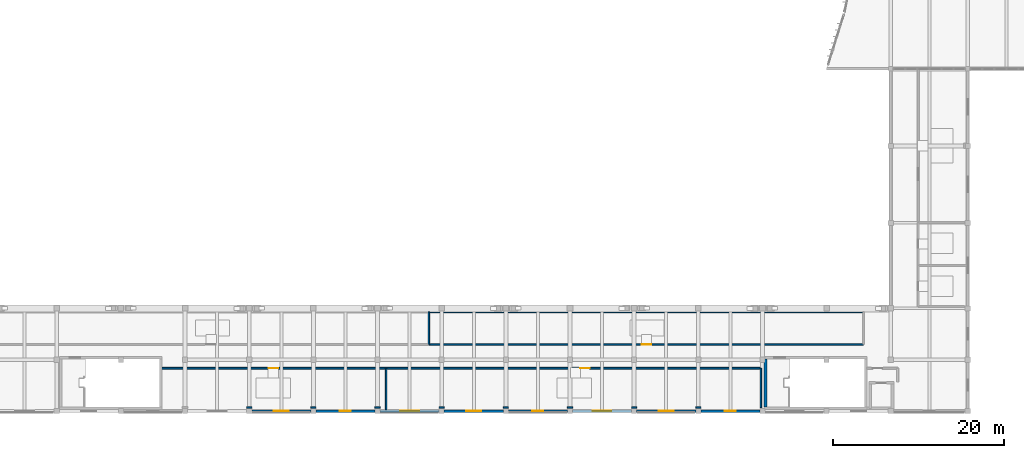
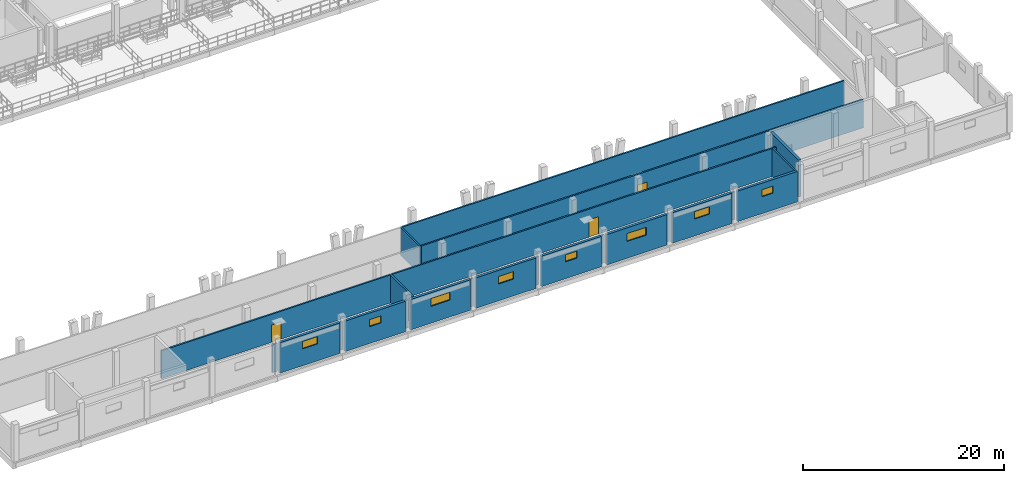
# One storey, part 53 of 81: 24 walls, 8 windows, 3 doors, 11 openings.
"""IFC4 building model written with IfcOpenShell, lengths in metres."""

from ifc_helpers import new_model, si_unit, direction, frame, frame_2d, origin, place, context, subcontext, project, spatial, rectangle, extrude, material, layer, layer_set, type_object, element, fill, save


model = new_model("IFC4")

# Units and contexts
model_context = context("Model", 3, precision=1e-05, world=origin(), true_north=direction((0.0, 1.0)))
body_context = subcontext(model_context, "Body", "Model", "MODEL_VIEW")
ifc_project = project(units=[si_unit("LENGTHUNIT", "METRE"), si_unit("AREAUNIT", "SQUARE_METRE"), si_unit("VOLUMEUNIT", "CUBIC_METRE"), si_unit("PLANEANGLEUNIT", "RADIAN"), si_unit("MASSUNIT", "GRAM", prefix="KILO")], contexts=[model_context])

# Site, building, storey
site_placement = place(None, origin())
site = spatial("IfcSite", under=ifc_project, at=site_placement, CompositionType="ELEMENT")
building_placement = place(site_placement, origin())
building = spatial("IfcBuilding", under=site, at=building_placement, Name="Vourika Railside Aquatics Centre", CompositionType="ELEMENT")
storey_placement = place(building_placement, frame((0.0, 0.0, 4.800048828125)))
storey = spatial("IfcBuildingStorey", under=building, at=storey_placement, Name="L01", CompositionType="ELEMENT", Elevation=4.800048828125)

# Wall
ifc_material_1 = material(Name="Concrete C40/50", Category="concrete")
ifc_layer_1 = layer(ifc_material_1, 0.300048828125, Name="WL-CORE")
ifc_layer_set_1 = layer_set([ifc_layer_1], Name="Concrete C40/50")
wall_type_1 = type_object("IfcWallType", Name="WL-CORE", PredefinedType="SHEAR", material=ifc_layer_set_1)
wall_1_placement = place(storey_placement, frame((126.35009765625, 6.10009765625, 0.0), z_axis=(0.0, 0.0, 1.0), x_axis=(0.0, -1.0, 0.0)))
element("IfcWall", 1, at=wall_1_placement, inside=storey, type_object=wall_type_1, Name="Protected Exit Stair Core ST06 West Wall (L01)", PredefinedType="SHEAR", context=body_context, shape_type="SweptSolid", body=[
    extrude(rectangle(XDim=5.60009765625, YDim=0.300048828125, at=frame_2d((2.800048828125, 0.0))), origin(), (0.0, 0.0, 1.0), 4.5),
])

# Wall, opening, window
ifc_material_2 = material(Name="Precast concrete C40/50", Category="concrete")
ifc_layer_2 = layer(ifc_material_2, 0.2900390625, Name="WL-EXT-290")
ifc_layer_set_2 = layer_set([ifc_layer_2], Name="Precast concrete C40/50")
wall_type_2 = type_object("IfcWallType", Name="WL-EXT-290", PredefinedType="SOLIDWALL", material=ifc_layer_set_2)
wall_2_placement = place(storey_placement, frame((66.300048828125, 0.0, 0.0), z_axis=(0.0, 0.0, 1.0), x_axis=(1.0, 0.0, 0.0)))
wall_2 = element("IfcWall", 2, at=wall_2_placement, inside=storey, type_object=wall_type_2, Name="Changing Village South Precast Wall L01-5", PredefinedType="SOLIDWALL", context=body_context, shape_type="SweptSolid", body=[
    extrude(rectangle(XDim=6.89990234375, YDim=0.2900390625, at=frame_2d((3.449951171875, 0.0))), origin(), (0.0, 0.0, 1.0), 3.699951171875),
])
opening_1_placement = place(wall_2_placement, frame((2.574951171875, 0.0, 2.050048828125)))
opening_1 = element("IfcOpeningElement", 3, at=opening_1_placement, cuts=wall_2, Name="Opening W18", PredefinedType="OPENING", context=body_context, shape_type="SweptSolid", body=[
    extrude(rectangle(XDim=1.75, YDim=0.89990234375, at=frame_2d((0.875, 0.449951171875))), frame((0.0, 0.155029296875, 0.0), z_axis=(0.0, -1.0, 0.0), x_axis=(1.0, 0.0, 0.0)), (0.0, 0.0, 1.0), 0.31005859375),
])
ifc_material_3 = material(Name="Laminated solar-control glass", Category="glass")
window_type_1 = type_object("IfcWindowType", Name="WN-CHG-175x090", PartitioningType="DOUBLE_PANEL_HORIZONTAL", PredefinedType="WINDOW", material=ifc_material_3)
window_1_placement = place(opening_1_placement, origin())
window_1 = element("IfcWindow", 4, at=window_1_placement, inside=storey, type_object=window_type_1, Name="Changing High-Level Privacy Window L01-5", OverallHeight=0.89990234375, OverallWidth=1.75, PartitioningType="SINGLE_PANEL", PredefinedType="WINDOW", context=body_context, shape_type="SweptSolid", body=[
    extrude(rectangle(XDim=1.75, YDim=0.89990234375, at=frame_2d((0.875, 0.449951171875))), frame((0.0, 0.030029296875, 0.0), z_axis=(0.0, -1.0, 0.0), x_axis=(1.0, 0.0, 0.0)), (0.0, 0.0, 1.0), 0.06005859375),
])
fill(opening_1, window_1)

wall_3_placement = place(storey_placement, frame((73.800048828125, 0.0, 0.0), z_axis=(0.0, 0.0, 1.0), x_axis=(1.0, 0.0, 0.0)))
wall_3 = element("IfcWall", 5, at=wall_3_placement, inside=storey, type_object=wall_type_2, Name="Changing Village South Precast Wall L01-6", PredefinedType="SOLIDWALL", context=body_context, shape_type="SweptSolid", body=[
    extrude(rectangle(XDim=6.89990234375, YDim=0.2900390625, at=frame_2d((3.449951171875, 0.0))), origin(), (0.0, 0.0, 1.0), 3.699951171875),
])
opening_2_placement = place(wall_3_placement, frame((2.800048828125, 0.0, 2.050048828125)))
opening_2 = element("IfcOpeningElement", 6, at=opening_2_placement, cuts=wall_3, Name="Opening W19", PredefinedType="OPENING", context=body_context, shape_type="SweptSolid", body=[
    extrude(rectangle(XDim=1.300048828125, YDim=0.85009765625, at=frame_2d((0.64990234375, 0.425048828125))), frame((0.0, 0.155029296875, 0.0), z_axis=(0.0, -1.0, 0.0), x_axis=(1.0, 0.0, 0.0)), (0.0, 0.0, 1.0), 0.31005859375),
])
window_type_2 = type_object("IfcWindowType", Name="WN-CHG-130x085", PartitioningType="SINGLE_PANEL", PredefinedType="WINDOW", material=ifc_material_3)
window_2_placement = place(opening_2_placement, origin())
window_2 = element("IfcWindow", 7, at=window_2_placement, inside=storey, type_object=window_type_2, Name="Changing High-Level Privacy Window L01-6", OverallHeight=0.85009765625, OverallWidth=1.300048828125, PartitioningType="SINGLE_PANEL", PredefinedType="WINDOW", context=body_context, shape_type="SweptSolid", body=[
    extrude(rectangle(XDim=1.300048828125, YDim=0.85009765625, at=frame_2d((0.64990234375, 0.425048828125))), frame((0.0, 0.030029296875, 0.0), z_axis=(0.0, -1.0, 0.0), x_axis=(1.0, 0.0, 0.0)), (0.0, 0.0, 1.0), 0.06005859375),
])
fill(opening_2, window_2)

wall_4_placement = place(storey_placement, frame((81.300048828125, 0.0, 0.0), z_axis=(0.0, 0.0, 1.0), x_axis=(1.0, 0.0, 0.0)))
wall_4 = element("IfcWall", 8, at=wall_4_placement, inside=storey, type_object=wall_type_2, Name="Changing Village South Precast Wall L01-7", PredefinedType="SOLIDWALL", context=body_context, shape_type="SweptSolid", body=[
    extrude(rectangle(XDim=6.89990234375, YDim=0.2900390625, at=frame_2d((3.449951171875, 0.0))), origin(), (0.0, 0.0, 1.0), 3.699951171875),
])
opening_3_placement = place(wall_4_placement, frame((2.35009765625, 0.0, 2.050048828125)))
opening_3 = element("IfcOpeningElement", 9, at=opening_3_placement, cuts=wall_4, Name="Opening W17", PredefinedType="OPENING", context=body_context, shape_type="SweptSolid", body=[
    extrude(rectangle(XDim=2.199951171875, YDim=0.949951171875, at=frame_2d((1.10009765625, 0.47509765625))), frame((0.0, 0.155029296875, 0.0), z_axis=(0.0, -1.0, 0.0), x_axis=(1.0, 0.0, 0.0)), (0.0, 0.0, 1.0), 0.31005859375),
])
window_type_3 = type_object("IfcWindowType", Name="WN-CHG-220x095", PartitioningType="DOUBLE_PANEL_HORIZONTAL", PredefinedType="WINDOW", material=ifc_material_3)
window_3_placement = place(opening_3_placement, origin())
window_3 = element("IfcWindow", 10, at=window_3_placement, inside=storey, type_object=window_type_3, Name="Changing High-Level Privacy Window L01-7", OverallHeight=0.949951171875, OverallWidth=2.199951171875, PartitioningType="SINGLE_PANEL", PredefinedType="WINDOW", context=body_context, shape_type="SweptSolid", body=[
    extrude(rectangle(XDim=2.199951171875, YDim=0.949951171875, at=frame_2d((1.10009765625, 0.47509765625))), frame((0.0, 0.030029296875, 0.0), z_axis=(0.0, -1.0, 0.0), x_axis=(1.0, 0.0, 0.0)), (0.0, 0.0, 1.0), 0.06005859375),
])
fill(opening_3, window_3)

wall_5_placement = place(storey_placement, frame((88.800048828125, 0.0, 0.0), z_axis=(0.0, 0.0, 1.0), x_axis=(1.0, 0.0, 0.0)))
wall_5 = element("IfcWall", 11, at=wall_5_placement, inside=storey, type_object=wall_type_2, Name="Changing Village South Precast Wall L01-8", PredefinedType="SOLIDWALL", context=body_context, shape_type="SweptSolid", body=[
    extrude(rectangle(XDim=6.89990234375, YDim=0.2900390625, at=frame_2d((3.449951171875, 0.0))), origin(), (0.0, 0.0, 1.0), 3.699951171875),
])
opening_4_placement = place(wall_5_placement, frame((2.574951171875, 0.0, 2.050048828125)))
opening_4 = element("IfcOpeningElement", 12, at=opening_4_placement, cuts=wall_5, Name="Opening W18", PredefinedType="OPENING", context=body_context, shape_type="SweptSolid", body=[
    extrude(rectangle(XDim=1.75, YDim=0.89990234375, at=frame_2d((0.875, 0.449951171875))), frame((0.0, 0.155029296875, 0.0), z_axis=(0.0, -1.0, 0.0), x_axis=(1.0, 0.0, 0.0)), (0.0, 0.0, 1.0), 0.31005859375),
])
window_4_placement = place(opening_4_placement, origin())
window_4 = element("IfcWindow", 13, at=window_4_placement, inside=storey, type_object=window_type_1, Name="Changing High-Level Privacy Window L01-8", OverallHeight=0.89990234375, OverallWidth=1.75, PartitioningType="SINGLE_PANEL", PredefinedType="WINDOW", context=body_context, shape_type="SweptSolid", body=[
    extrude(rectangle(XDim=1.75, YDim=0.89990234375, at=frame_2d((0.875, 0.449951171875))), frame((0.0, 0.030029296875, 0.0), z_axis=(0.0, -1.0, 0.0), x_axis=(1.0, 0.0, 0.0)), (0.0, 0.0, 1.0), 0.06005859375),
])
fill(opening_4, window_4)

wall_6_placement = place(storey_placement, frame((96.300048828125, 0.0, 0.0), z_axis=(0.0, 0.0, 1.0), x_axis=(1.0, 0.0, 0.0)))
wall_6 = element("IfcWall", 14, at=wall_6_placement, inside=storey, type_object=wall_type_2, Name="Changing Village South Precast Wall L01-9", PredefinedType="SOLIDWALL", context=body_context, shape_type="SweptSolid", body=[
    extrude(rectangle(XDim=6.89990234375, YDim=0.2900390625, at=frame_2d((3.449951171875, 0.0))), origin(), (0.0, 0.0, 1.0), 3.699951171875),
])
opening_5_placement = place(wall_6_placement, frame((2.800048828125, 0.0, 2.050048828125)))
opening_5 = element("IfcOpeningElement", 15, at=opening_5_placement, cuts=wall_6, Name="Opening W19", PredefinedType="OPENING", context=body_context, shape_type="SweptSolid", body=[
    extrude(rectangle(XDim=1.300048828125, YDim=0.85009765625, at=frame_2d((0.64990234375, 0.425048828125))), frame((0.0, 0.155029296875, 0.0), z_axis=(0.0, -1.0, 0.0), x_axis=(1.0, 0.0, 0.0)), (0.0, 0.0, 1.0), 0.31005859375),
])
window_5_placement = place(opening_5_placement, origin())
window_5 = element("IfcWindow", 16, at=window_5_placement, inside=storey, type_object=window_type_2, Name="Changing High-Level Privacy Window L01-9", OverallHeight=0.85009765625, OverallWidth=1.300048828125, PartitioningType="SINGLE_PANEL", PredefinedType="WINDOW", context=body_context, shape_type="SweptSolid", body=[
    extrude(rectangle(XDim=1.300048828125, YDim=0.85009765625, at=frame_2d((0.64990234375, 0.425048828125))), frame((0.0, 0.030029296875, 0.0), z_axis=(0.0, -1.0, 0.0), x_axis=(1.0, 0.0, 0.0)), (0.0, 0.0, 1.0), 0.06005859375),
])
fill(opening_5, window_5)

wall_7_placement = place(storey_placement, frame((103.800048828125, 0.0, 0.0), z_axis=(0.0, 0.0, 1.0), x_axis=(1.0, 0.0, 0.0)))
wall_7 = element("IfcWall", 17, at=wall_7_placement, inside=storey, type_object=wall_type_2, Name="Changing Village South Precast Wall L01-10", PredefinedType="SOLIDWALL", context=body_context, shape_type="SweptSolid", body=[
    extrude(rectangle(XDim=6.89990234375, YDim=0.2900390625, at=frame_2d((3.449951171875, 0.0))), origin(), (0.0, 0.0, 1.0), 3.699951171875),
])
opening_6_placement = place(wall_7_placement, frame((2.35009765625, 0.0, 2.050048828125)))
opening_6 = element("IfcOpeningElement", 18, at=opening_6_placement, cuts=wall_7, Name="Opening W17", PredefinedType="OPENING", context=body_context, shape_type="SweptSolid", body=[
    extrude(rectangle(XDim=2.199951171875, YDim=0.949951171875, at=frame_2d((1.10009765625, 0.47509765625))), frame((0.0, 0.155029296875, 0.0), z_axis=(0.0, -1.0, 0.0), x_axis=(1.0, 0.0, 0.0)), (0.0, 0.0, 1.0), 0.31005859375),
])
window_6_placement = place(opening_6_placement, origin())
window_6 = element("IfcWindow", 19, at=window_6_placement, inside=storey, type_object=window_type_3, Name="Changing High-Level Privacy Window L01-10", OverallHeight=0.949951171875, OverallWidth=2.199951171875, PartitioningType="SINGLE_PANEL", PredefinedType="WINDOW", context=body_context, shape_type="SweptSolid", body=[
    extrude(rectangle(XDim=2.199951171875, YDim=0.949951171875, at=frame_2d((1.10009765625, 0.47509765625))), frame((0.0, 0.030029296875, 0.0), z_axis=(0.0, -1.0, 0.0), x_axis=(1.0, 0.0, 0.0)), (0.0, 0.0, 1.0), 0.06005859375),
])
fill(opening_6, window_6)

wall_8_placement = place(storey_placement, frame((111.300048828125, 0.0, 0.0), z_axis=(0.0, 0.0, 1.0), x_axis=(1.0, 0.0, 0.0)))
wall_8 = element("IfcWall", 20, at=wall_8_placement, inside=storey, type_object=wall_type_2, Name="Changing Village South Precast Wall L01-11", PredefinedType="SOLIDWALL", context=body_context, shape_type="SweptSolid", body=[
    extrude(rectangle(XDim=6.89990234375, YDim=0.2900390625, at=frame_2d((3.449951171875, 0.0))), origin(), (0.0, 0.0, 1.0), 3.699951171875),
])
opening_7_placement = place(wall_8_placement, frame((2.574951171875, 0.0, 2.050048828125)))
opening_7 = element("IfcOpeningElement", 21, at=opening_7_placement, cuts=wall_8, Name="Opening W18", PredefinedType="OPENING", context=body_context, shape_type="SweptSolid", body=[
    extrude(rectangle(XDim=1.75, YDim=0.89990234375, at=frame_2d((0.875, 0.449951171875))), frame((0.0, 0.155029296875, 0.0), z_axis=(0.0, -1.0, 0.0), x_axis=(1.0, 0.0, 0.0)), (0.0, 0.0, 1.0), 0.31005859375),
])
window_7_placement = place(opening_7_placement, origin())
window_7 = element("IfcWindow", 22, at=window_7_placement, inside=storey, type_object=window_type_1, Name="Changing High-Level Privacy Window L01-11", OverallHeight=0.89990234375, OverallWidth=1.75, PartitioningType="SINGLE_PANEL", PredefinedType="WINDOW", context=body_context, shape_type="SweptSolid", body=[
    extrude(rectangle(XDim=1.75, YDim=0.89990234375, at=frame_2d((0.875, 0.449951171875))), frame((0.0, 0.030029296875, 0.0), z_axis=(0.0, -1.0, 0.0), x_axis=(1.0, 0.0, 0.0)), (0.0, 0.0, 1.0), 0.06005859375),
])
fill(opening_7, window_7)

wall_9_placement = place(storey_placement, frame((118.800048828125, 0.0, 0.0), z_axis=(0.0, 0.0, 1.0), x_axis=(1.0, 0.0, 0.0)))
wall_9 = element("IfcWall", 23, at=wall_9_placement, inside=storey, type_object=wall_type_2, Name="Changing Village South Precast Wall L01-12", PredefinedType="SOLIDWALL", context=body_context, shape_type="SweptSolid", body=[
    extrude(rectangle(XDim=6.89990234375, YDim=0.2900390625, at=frame_2d((3.449951171875, 0.0))), origin(), (0.0, 0.0, 1.0), 3.699951171875),
])
opening_8_placement = place(wall_9_placement, frame((2.800048828125, 0.0, 2.050048828125)))
opening_8 = element("IfcOpeningElement", 24, at=opening_8_placement, cuts=wall_9, Name="Opening W19", PredefinedType="OPENING", context=body_context, shape_type="SweptSolid", body=[
    extrude(rectangle(XDim=1.300048828125, YDim=0.85009765625, at=frame_2d((0.64990234375, 0.425048828125))), frame((0.0, 0.155029296875, 0.0), z_axis=(0.0, -1.0, 0.0), x_axis=(1.0, 0.0, 0.0)), (0.0, 0.0, 1.0), 0.31005859375),
])
window_8_placement = place(opening_8_placement, origin())
window_8 = element("IfcWindow", 25, at=window_8_placement, inside=storey, type_object=window_type_2, Name="Changing High-Level Privacy Window L01-12", OverallHeight=0.85009765625, OverallWidth=1.300048828125, PartitioningType="SINGLE_PANEL", PredefinedType="WINDOW", context=body_context, shape_type="SweptSolid", body=[
    extrude(rectangle(XDim=1.300048828125, YDim=0.85009765625, at=frame_2d((0.64990234375, 0.425048828125))), frame((0.0, 0.030029296875, 0.0), z_axis=(0.0, -1.0, 0.0), x_axis=(1.0, 0.0, 0.0)), (0.0, 0.0, 1.0), 0.06005859375),
])
fill(opening_8, window_8)

# Wall, opening, door
ifc_material_4 = material(Name="Moisture-resistant wet-village blockwork", Category="masonry")
ifc_layer_3 = layer(ifc_material_4, 0.179931640625, Name="WL-PART-180")
ifc_layer_set_3 = layer_set([ifc_layer_3], Name="Moisture-resistant wet-village blockwork")
wall_type_3 = type_object("IfcWallType", Name="WL-PART-180", PredefinedType="PARTITIONING", material=ifc_layer_set_3)
wall_10_placement = place(storey_placement, frame((55.639892578125, 5.0, 0.0), z_axis=(0.0, 0.0, 1.0), x_axis=(1.0, 0.0, 0.0)))
wall_10 = element("IfcWall", 26, at=wall_10_placement, inside=storey, type_object=wall_type_3, Name="School Group Wet Changing Suite Partition 1", PredefinedType="PARTITIONING", context=body_context, shape_type="SweptSolid", body=[
    extrude(rectangle(XDim=26.360107421875, YDim=0.179931640625, at=frame_2d((13.18017578125, 0.0))), origin(), (0.0, 0.0, 1.0), 3.39990234375),
])
opening_9_placement = place(wall_10_placement, frame((12.6298828125, 0.0, 0.0)))
opening_9 = element("IfcOpeningElement", 27, at=opening_9_placement, cuts=wall_10, Name="Opening DI02", PredefinedType="OPENING", context=body_context, shape_type="SweptSolid", body=[
    extrude(rectangle(XDim=1.10009765625, YDim=2.10009765625, at=frame_2d((0.550048828125, 1.050048828125))), frame((0.0, 0.10009765625, 0.0), z_axis=(0.0, -1.0, 0.0), x_axis=(1.0, 0.0, 0.0)), (0.0, 0.0, 1.0), 0.199951171875),
])
ifc_material_5 = material(Name="Accessible clinic and studio door")
door_type = type_object("IfcDoorType", Name="DR-INT-1100", OperationType="NOTDEFINED", PredefinedType="DOOR", material=ifc_material_5)
door_1_placement = place(opening_9_placement, origin())
door_1 = element("IfcDoor", 28, at=door_1_placement, inside=storey, type_object=door_type, Name="School Group Wet Changing Suite Door", OperationType="SINGLE_SWING_RIGHT", OverallHeight=2.10009765625, OverallWidth=1.10009765625, PredefinedType="DOOR", context=body_context, shape_type="SweptSolid", body=[
    extrude(rectangle(XDim=1.10009765625, YDim=2.10009765625, at=frame_2d((0.550048828125, 1.050048828125))), frame((0.0, 0.02490234375, 0.0), z_axis=(0.0, -1.0, 0.0), x_axis=(1.0, 0.0, 0.0)), (0.0, 0.0, 1.0), 0.050048828125),
])
fill(opening_9, door_1)

# Walls
wall_11_placement = place(storey_placement, frame((82.0, 5.0, 0.0), z_axis=(0.0, 0.0, 1.0), x_axis=(0.0, -1.0, 0.0)))
element("IfcWall", 29, at=wall_11_placement, inside=storey, type_object=wall_type_3, Name="School Group Wet Changing Suite Partition 2", PredefinedType="PARTITIONING", context=body_context, shape_type="SweptSolid", body=[
    extrude(rectangle(XDim=4.875, YDim=0.179931640625, at=frame_2d((2.4375, 0.0))), origin(), (0.0, 0.0, 1.0), 3.39990234375),
])
for number, where, z_axis, x_axis, name in (
    (30, (81.300048828125, 0.39990234375, 0.0), (0.0, 0.0, 1.0), (-1.0, 0.0, 0.0), "School Group Wet Changing Suite Partition 3"),
    (31, (73.800048828125, 0.39990234375, 0.0), (0.0, 0.0, 1.0), (-1.0, 0.0, 0.0), "School Group Wet Changing Suite Partition 4"),
    (32, (66.300048828125, 0.39990234375, 0.0), (0.0, 0.0, 1.0), (-1.0, 0.0, 0.0), "School Group Wet Changing Suite Partition 5"),
):
    element("IfcWall", number, at=place(storey_placement, frame(where, z_axis=z_axis, x_axis=x_axis)), inside=storey, type_object=wall_type_3, Name=name, PredefinedType="PARTITIONING", context=body_context, shape_type="SweptSolid", body=[
        extrude(rectangle(XDim=0.60009765625, YDim=0.179931640625, at=frame_2d((0.300048828125, 0.0))), origin(), (0.0, 0.0, 1.0), 3.39990234375),
    ])

# Wall, opening, door
wall_12_placement = place(storey_placement, frame((82.070068359375, 5.0, 0.0), z_axis=(0.0, 0.0, 1.0), x_axis=(1.0, 0.0, 0.0)))
wall_12 = element("IfcWall", 33, at=wall_12_placement, inside=storey, type_object=wall_type_3, Name="Swimming Club Locker and Changing Suite Partition 1", PredefinedType="PARTITIONING", context=body_context, shape_type="SweptSolid", body=[
    extrude(rectangle(XDim=44.14990234375, YDim=0.179931640625, at=frame_2d((22.074951171875, 0.0))), origin(), (0.0, 0.0, 1.0), 3.39990234375),
])
opening_10_placement = place(wall_12_placement, frame((22.625, 0.0, 0.0)))
opening_10 = element("IfcOpeningElement", 34, at=opening_10_placement, cuts=wall_12, Name="Opening DI02", PredefinedType="OPENING", context=body_context, shape_type="SweptSolid", body=[
    extrude(rectangle(XDim=1.10009765625, YDim=2.10009765625, at=frame_2d((0.550048828125, 1.050048828125))), frame((0.0, 0.10009765625, 0.0), z_axis=(0.0, -1.0, 0.0), x_axis=(1.0, 0.0, 0.0)), (0.0, 0.0, 1.0), 0.199951171875),
])
door_2_placement = place(opening_10_placement, origin())
door_2 = element("IfcDoor", 35, at=door_2_placement, inside=storey, type_object=door_type, Name="Swimming Club Locker and Changing Suite Door", OperationType="SINGLE_SWING_LEFT", OverallHeight=2.10009765625, OverallWidth=1.10009765625, PredefinedType="DOOR", context=body_context, shape_type="SweptSolid", body=[
    extrude(rectangle(XDim=1.10009765625, YDim=2.10009765625, at=frame_2d((0.550048828125, 1.050048828125))), frame((0.0, 0.02490234375, 0.0), z_axis=(0.0, -1.0, 0.0), x_axis=(1.0, 0.0, 0.0)), (0.0, 0.0, 1.0), 0.050048828125),
])
fill(opening_10, door_2)

# Walls
wall_13_placement = place(storey_placement, frame((125.800048828125, 5.0, 0.0), z_axis=(0.0, 0.0, 1.0), x_axis=(0.0, -1.0, 0.0)))
element("IfcWall", 36, at=wall_13_placement, inside=storey, type_object=wall_type_3, Name="Swimming Club Locker and Changing Suite Partition 2", PredefinedType="PARTITIONING", context=body_context, shape_type="SweptSolid", body=[
    extrude(rectangle(XDim=4.60009765625, YDim=0.179931640625, at=frame_2d((2.300048828125, 0.0))), origin(), (0.0, 0.0, 1.0), 3.39990234375),
])
for number, where, z_axis, x_axis, name in (
    (37, (118.800048828125, 0.39990234375, 0.0), (0.0, 0.0, 1.0), (-1.0, 0.0, 0.0), "Swimming Club Locker and Changing Suite Partition 4"),
    (38, (111.300048828125, 0.39990234375, 0.0), (0.0, 0.0, 1.0), (-1.0, 0.0, 0.0), "Swimming Club Locker and Changing Suite Partition 5"),
    (39, (103.800048828125, 0.39990234375, 0.0), (0.0, 0.0, 1.0), (-1.0, 0.0, 0.0), "Swimming Club Locker and Changing Suite Partition 6"),
    (40, (96.300048828125, 0.39990234375, 0.0), (0.0, 0.0, 1.0), (-1.0, 0.0, 0.0), "Swimming Club Locker and Changing Suite Partition 7"),
    (41, (88.800048828125, 0.39990234375, 0.0), (0.0, 0.0, 1.0), (-1.0, 0.0, 0.0), "Swimming Club Locker and Changing Suite Partition 8"),
):
    element("IfcWall", number, at=place(storey_placement, frame(where, z_axis=z_axis, x_axis=x_axis)), inside=storey, type_object=wall_type_3, Name=name, PredefinedType="PARTITIONING", context=body_context, shape_type="SweptSolid", body=[
        extrude(rectangle(XDim=0.60009765625, YDim=0.179931640625, at=frame_2d((0.300048828125, 0.0))), origin(), (0.0, 0.0, 1.0), 3.39990234375),
    ])
wall_14_placement = place(storey_placement, frame((87.0, 11.60009765625, 0.0), z_axis=(0.0, 0.0, 1.0), x_axis=(0.0, -1.0, 0.0)))
element("IfcWall", 42, at=wall_14_placement, inside=storey, type_object=wall_type_3, Name="Technical Officials and Referees Changing Suite West Partition 2", PredefinedType="PARTITIONING", context=body_context, shape_type="SweptSolid", body=[
    extrude(rectangle(XDim=3.800048828125, YDim=0.179931640625, at=frame_2d((1.89990234375, 0.0))), origin(), (0.0, 0.0, 1.0), 3.39990234375),
])

# Wall, opening, door
wall_15_placement = place(storey_placement, frame((137.800048828125, 7.800048828125, 0.0), z_axis=(0.0, 0.0, 1.0), x_axis=(-1.0, 0.0, 0.0)))
wall_15 = element("IfcWall", 43, at=wall_15_placement, inside=storey, type_object=wall_type_3, Name="Championship Officials and Timekeepers Changing Suite East Partition 1", PredefinedType="PARTITIONING", context=body_context, shape_type="SweptSolid", body=[
    extrude(rectangle(XDim=50.72998046875, YDim=0.179931640625, at=frame_2d((25.364990234375, 0.0))), origin(), (0.0, 0.0, 1.0), 3.39990234375),
])
opening_11_placement = place(wall_15_placement, frame((24.81494140625, 0.0, 0.0)))
opening_11 = element("IfcOpeningElement", 44, at=opening_11_placement, cuts=wall_15, Name="Opening DI02", PredefinedType="OPENING", context=body_context, shape_type="SweptSolid", body=[
    extrude(rectangle(XDim=1.10009765625, YDim=2.10009765625, at=frame_2d((0.550048828125, 1.050048828125))), frame((0.0, 0.10009765625, 0.0), z_axis=(0.0, -1.0, 0.0), x_axis=(1.0, 0.0, 0.0)), (0.0, 0.0, 1.0), 0.199951171875),
])
door_3_placement = place(opening_11_placement, origin())
door_3 = element("IfcDoor", 45, at=door_3_placement, inside=storey, type_object=door_type, Name="Championship Officials and Timekeepers Changing Suite East Door", OperationType="SINGLE_SWING_LEFT", OverallHeight=2.10009765625, OverallWidth=1.10009765625, PredefinedType="DOOR", context=body_context, shape_type="SweptSolid", body=[
    extrude(rectangle(XDim=1.10009765625, YDim=2.10009765625, at=frame_2d((0.550048828125, 1.050048828125))), frame((0.0, 0.02490234375, 0.0), z_axis=(0.0, -1.0, 0.0), x_axis=(1.0, 0.0, 0.0)), (0.0, 0.0, 1.0), 0.050048828125),
])
fill(opening_11, door_3)

# Wall
wall_16_placement = place(storey_placement, frame((87.070068359375, 11.60009765625, 0.0), z_axis=(0.0, 0.0, 1.0), x_axis=(1.0, 0.0, 0.0)))
element("IfcWall", 46, at=wall_16_placement, inside=storey, type_object=wall_type_3, Name="Championship Officials and Timekeepers Changing Suite East Partition 4", PredefinedType="PARTITIONING", context=body_context, shape_type="SweptSolid", body=[
    extrude(rectangle(XDim=50.72998046875, YDim=0.179931640625, at=frame_2d((25.364990234375, 0.0))), origin(), (0.0, 0.0, 1.0), 3.39990234375),
])

save(model, "model.ifc")
